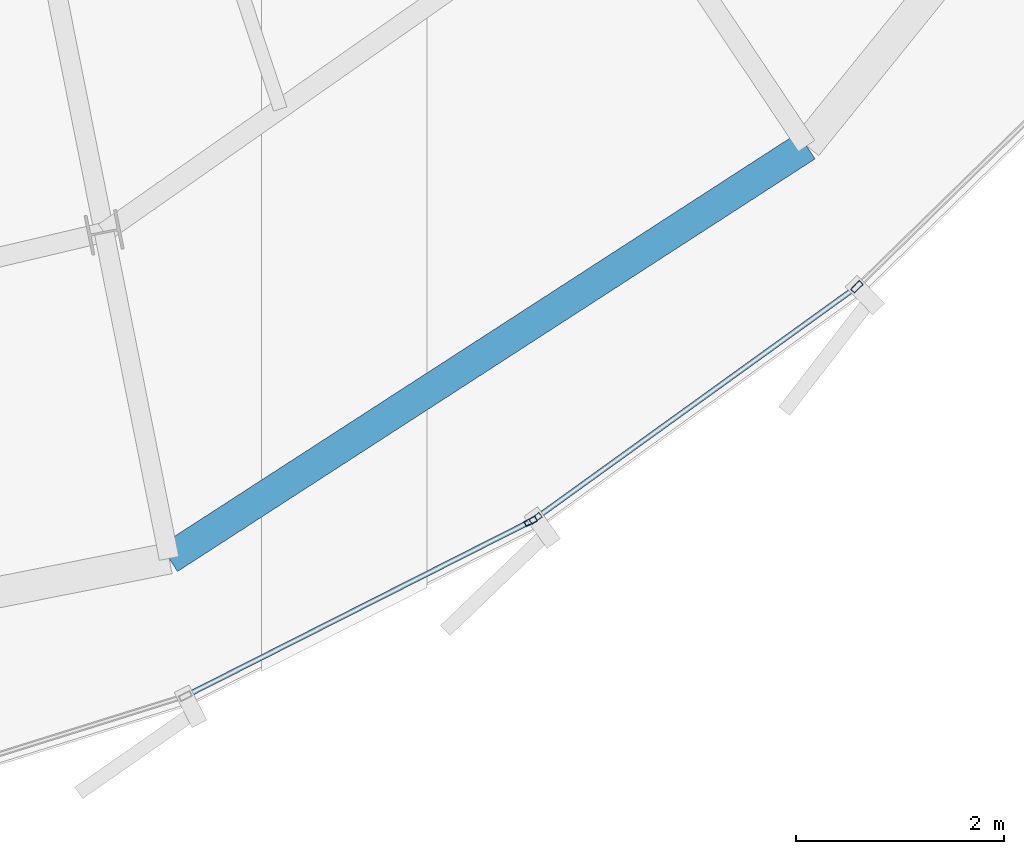
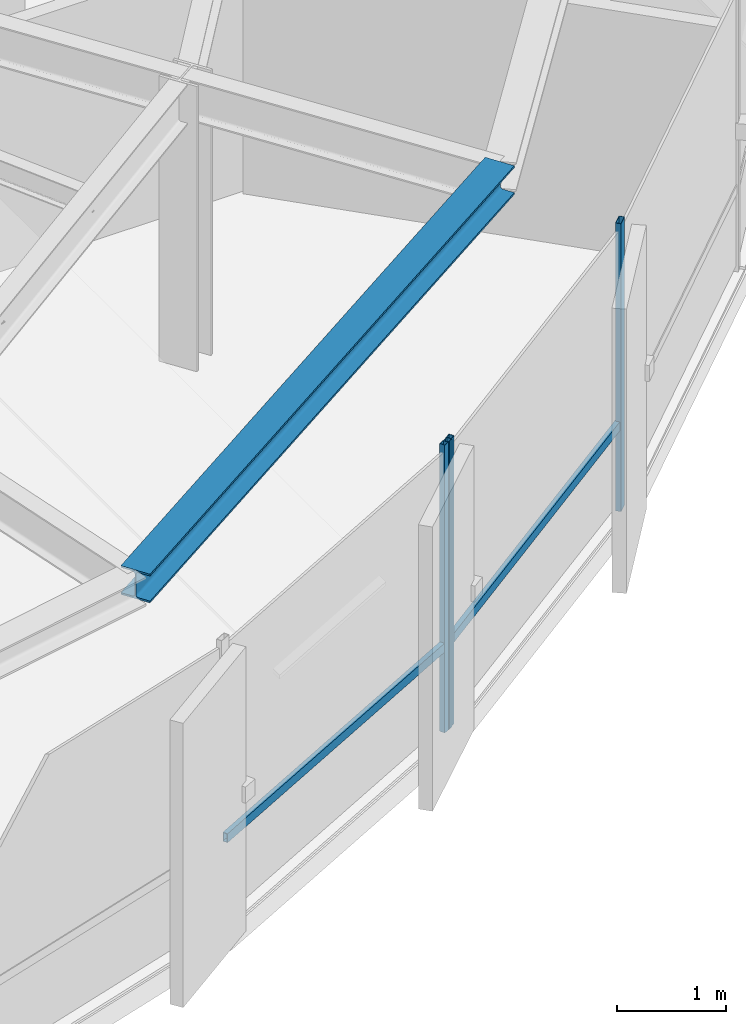
# One storey, part 7 of 34: 5 members, 1 beam, 2 elements without a shape of their own.
"""IFC4 building model written with IfcOpenShell, lengths in metres."""

from ifc_helpers import new_model, si_unit, direction, frame, origin, origin_2d, place, context, subcontext, project, spatial, hollow_rectangle, i_section, extrude, source, transform, mapped, material, layer, layer_set, material_profile, profile_set, type_object, element, aggregate, save


model = new_model("IFC4")

# Units and contexts
model_context = context("Model", 3, precision=1e-05, world=origin(), true_north=direction((0.0, 1.0)))
body_context = subcontext(model_context, "Body", "Model", "MODEL_VIEW")
ifc_project = project(units=[si_unit("LENGTHUNIT", "METRE"), si_unit("AREAUNIT", "SQUARE_METRE"), si_unit("VOLUMEUNIT", "CUBIC_METRE"), si_unit("PLANEANGLEUNIT", "RADIAN"), si_unit("MASSUNIT", "GRAM", prefix="KILO"), si_unit("THERMODYNAMICTEMPERATUREUNIT", "KELVIN")], contexts=[model_context])

# Site, building, storey
site_placement = place(None, origin())
site = spatial("IfcSite", under=ifc_project, at=site_placement, CompositionType="ELEMENT")
building_placement = place(site_placement, origin())
building = spatial("IfcBuilding", under=site, at=building_placement, Name="Kethvar Cultural Tower", CompositionType="ELEMENT")
storey_placement = place(building_placement, frame((0.0, 0.0, 262.89990234375)))
storey = spatial("IfcBuildingStorey", under=building, at=storey_placement, Name="L69", CompositionType="ELEMENT", Elevation=262.89990234375)

# Beam
ifc_material_1 = material(Name="Steel S355J2", Category="steel")
ifc_material_profile_1 = material_profile(ifc_material_1, i_section(OverallWidth=0.300048828125, OverallDepth=0.320068359375, WebThickness=0.011474609375, FlangeThickness=0.0205078125, FilletRadius=0.027099609375, at=origin_2d()), Name="Steel S355J2 — HEB320")
ifc_profile_set_1 = profile_set([ifc_material_profile_1], Name="Steel S355J2 — HEB320")
beam_type = type_object("IfcBeamType", Name="BM-SP320", PredefinedType="SPANDREL", material=ifc_profile_set_1)
shared_shape_1 = source(origin(), body_context, "Body", "SweptSolid", [
    extrude(i_section(OverallWidth=0.300048828125, OverallDepth=0.320068359375, WebThickness=0.011474609375, FlangeThickness=0.0205078125, FilletRadius=0.027099609375, at=origin_2d()), origin(), (0.0, 0.0, 1.0), 7.309326171875),
])
beam_placement = place(storey_placement, frame((50.52587890625, 9.068359375, 3.048095703125), z_axis=(0.839562091992, 0.543263742292, 0.0), x_axis=(-0.543263742292, 0.839562091992, 0.0)))
element("IfcBeam", 1, at=beam_placement, inside=storey, type_object=beam_type, Name="L69 Perimeter Spandrel Beam SP-13", PredefinedType="SPANDREL", context=body_context, shape_type="MappedRepresentation", body=[
    mapped(shared_shape_1, transform((0.0, 0.0, 0.0), scale=1.0)),
])

# Curtain wall, member
ifc_material_2 = material(Name="Aluminium 6063-T6", Category="aluminium")
ifc_layer = layer(ifc_material_2, 0.179931640625, Name="Aluminium 6063-T6", Category="aluminium")
ifc_layer_set = layer_set([ifc_layer], Name="Aluminium 6063-T6 (180 mm)")
curtain_wall_type = type_object("IfcCurtainWallType", Name="CW-SYS-05-Z56", PredefinedType="NOTDEFINED", material=ifc_layer_set)
curtain_wall_1_placement = place(storey_placement, origin())
curtain_wall_1 = element("IfcCurtainWall", 2, at=curtain_wall_1_placement, inside=storey, type_object=curtain_wall_type, Name="L69 Curtain Wall Run 04", PredefinedType="NOTDEFINED")
ifc_material_profile_2 = material_profile(ifc_material_2, hollow_rectangle(XDim=0.054931640625, YDim=0.1201171875, WallThickness=0.00390625, at=origin_2d()), Name="Aluminium 6063-T6 — RHS120x55x4")
ifc_profile_set_2 = profile_set([ifc_material_profile_2], Name="Aluminium 6063-T6 — RHS120x55x4")
member_type_1 = type_object("IfcMemberType", Name="CW-SYS-05-Z56-MUL", PredefinedType="MULLION", material=ifc_profile_set_2)
shared_shape_2 = source(origin(), body_context, "Body", "SweptSolid", [
    extrude(hollow_rectangle(XDim=0.054931640625, YDim=0.1201171875, WallThickness=0.00390625, at=origin_2d()), origin(), (0.0, 0.0, 1.0), 3.210205078125),
])
member_1_placement = place(storey_placement, frame((54.006103515625, 9.4248046875, 0.0), z_axis=(0.0, 0.0, 1.0), x_axis=(-0.451562864373, 0.892239306195, 0.0)))
member_1 = element("IfcMember", 3, at=member_1_placement, type_object=member_type_1, Name="CW-L69-R04 Mullion 7", PredefinedType="MULLION", context=body_context, shape_type="MappedRepresentation", body=[
    mapped(shared_shape_2, transform((0.0, 0.0, 0.0), scale=1.0)),
])

# Curtain wall, members
curtain_wall_2_placement = place(storey_placement, origin())
curtain_wall_2 = element("IfcCurtainWall", 4, at=curtain_wall_2_placement, inside=storey, type_object=curtain_wall_type, Name="L69 Curtain Wall Run 05", PredefinedType="NOTDEFINED")
member_2_placement = place(storey_placement, frame((54.0537109375, 9.45361328125, 0.0), z_axis=(0.0, 0.0, 1.0), x_axis=(-0.584688683882, 0.811257753702, 0.0)))
member_2 = element("IfcMember", 5, at=member_2_placement, type_object=member_type_1, Name="CW-L69-R05 Mullion 1", PredefinedType="MULLION", context=body_context, shape_type="MappedRepresentation", body=[
    mapped(shared_shape_2, transform((0.0, 0.0, 0.0), scale=1.0)),
])
member_3_placement = place(storey_placement, frame((57.147216796875, 11.681884765625, 0.0), z_axis=(0.0, 0.0, 1.0), x_axis=(-0.6985526757, 0.715558634406, 0.0)))
member_3 = element("IfcMember", 6, at=member_3_placement, type_object=member_type_1, Name="CW-L69-R05 Mullion 2", PredefinedType="MULLION", context=body_context, shape_type="MappedRepresentation", body=[
    mapped(shared_shape_2, transform((0.0, 0.0, 0.0), scale=1.0)),
])

# Member
ifc_material_profile_3 = material_profile(ifc_material_2, hollow_rectangle(XDim=0.050048828125, YDim=0.10009765625, WallThickness=0.00390625, at=origin_2d()), Name="Aluminium 6063-T6 — RHS100x50x4")
ifc_profile_set_3 = profile_set([ifc_material_profile_3], Name="Aluminium 6063-T6 — RHS100x50x4")
member_type_2 = type_object("IfcMemberType", Name="CW-SYS-05-Z56-TRN", PredefinedType="USERDEFINED", material=ifc_profile_set_3)
shared_shape_3 = source(origin(), body_context, "Body", "SweptSolid", [
    extrude(hollow_rectangle(XDim=0.050048828125, YDim=0.10009765625, WallThickness=0.00390625, at=origin_2d()), origin(), (0.0, 0.0, 1.0), 3.681396484375),
])
member_4_placement = place(storey_placement, frame((50.718017578125, 7.7607421875, 0.9501953125), z_axis=(0.892241382732, 0.451558761337, 0.0), x_axis=(-0.451558761337, 0.892241382732, 0.0)))
member_4 = element("IfcMember", 7, at=member_4_placement, type_object=member_type_2, Name="CW-L69-R04 Transom 6", ObjectType="TRANSOM", PredefinedType="USERDEFINED", context=body_context, shape_type="MappedRepresentation", body=[
    mapped(shared_shape_3, transform((0.0, 0.0, 0.0), scale=1.0)),
])

aggregate(curtain_wall_1, [member_1, member_4])

shared_shape_4 = source(origin(), body_context, "Body", "SweptSolid", [
    extrude(hollow_rectangle(XDim=0.050048828125, YDim=0.10009765625, WallThickness=0.00390625, at=origin_2d()), origin(), (0.0, 0.0, 1.0), 3.783935546875),
])
member_5_placement = place(storey_placement, frame((54.056884765625, 9.4560546875, 0.9501953125), z_axis=(0.811267476786, 0.584675192829, 0.0), x_axis=(-0.584675192829, 0.811267476786, 0.0)))
member_5 = element("IfcMember", 8, at=member_5_placement, type_object=member_type_2, Name="CW-L69-R05 Transom 1", ObjectType="TRANSOM", PredefinedType="USERDEFINED", context=body_context, shape_type="MappedRepresentation", body=[
    mapped(shared_shape_4, transform((0.0, 0.0, 0.0), scale=1.0)),
])

aggregate(curtain_wall_2, [member_2, member_3, member_5])

save(model, "model.ifc")
